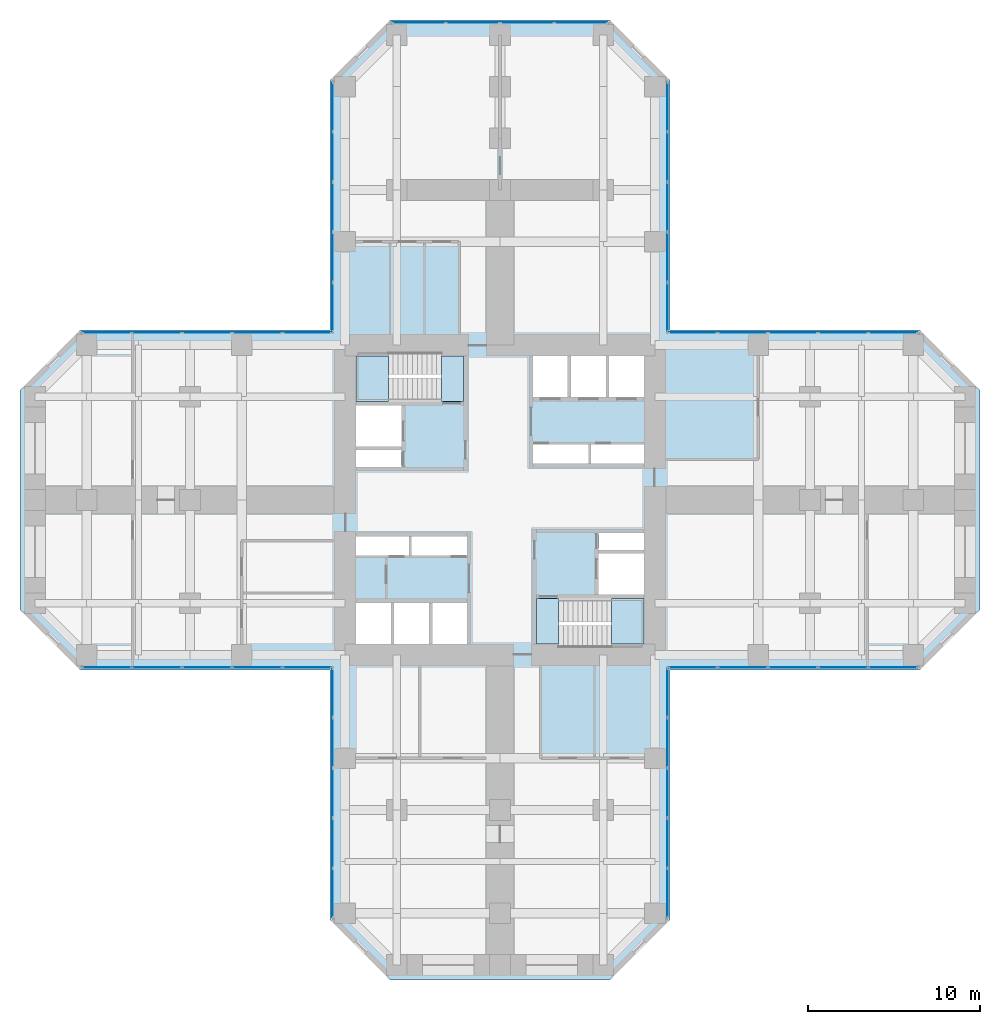
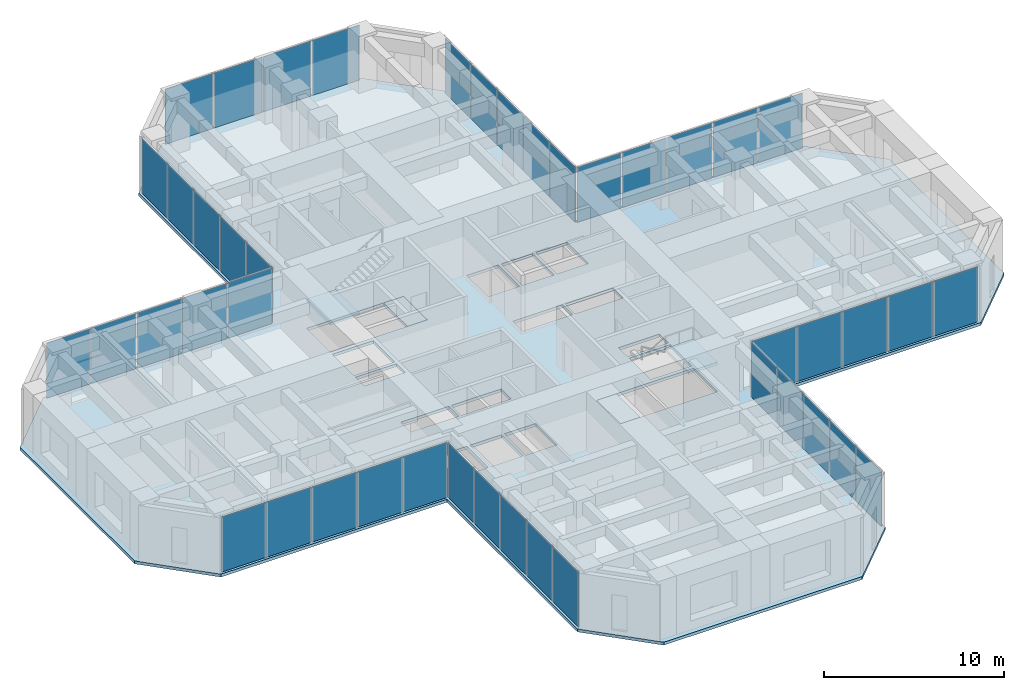
# One storey, part 7 of 12: 44 plates, 5 slabs, 11 elements without a shape of their own.
"""IFC4 building model written with IfcOpenShell, lengths in metres."""

from ifc_helpers import new_model, si_unit, direction, frame, origin, origin_2d, place, context, subcontext, project, spatial, polyline, rectangle, outline, extrude, material, layer, layer_set, type_object, element, aggregate, save


model = new_model("IFC4")

# Units and contexts
model_context = context("Model", 3, precision=1e-05, world=origin(), true_north=direction((0.0, 1.0)))
body_context = subcontext(model_context, "Body", "Model", "MODEL_VIEW")
ifc_project = project(units=[si_unit("LENGTHUNIT", "METRE"), si_unit("AREAUNIT", "SQUARE_METRE"), si_unit("VOLUMEUNIT", "CUBIC_METRE"), si_unit("PLANEANGLEUNIT", "RADIAN"), si_unit("MASSUNIT", "GRAM", prefix="KILO")], contexts=[model_context])

# Site, building, storey
site_placement = place(None, origin())
site = spatial("IfcSite", under=ifc_project, at=site_placement, CompositionType="ELEMENT")
building_placement = place(site_placement, origin())
building = spatial("IfcBuilding", under=site, at=building_placement, Name="Torre Cruceta", CompositionType="ELEMENT")
storey_placement = place(building_placement, frame((0.0, 0.0, 39.5)))
storey = spatial("IfcBuildingStorey", under=building, at=storey_placement, Name="L09", CompositionType="ELEMENT", Elevation=39.5)

# Curtain wall, plate
ifc_material_1 = material(Name="Aluminium unitised curtain wall", Category="aluminium")
curtain_wall_type = type_object("IfcCurtainWallType", Name="CURTAIN WALL CW-A OFFICE LOW RISE", PredefinedType="USERDEFINED", material=ifc_material_1)
curtain_wall_1_placement = place(storey_placement, origin())
curtain_wall_1 = element("IfcCurtainWall", 1, at=curtain_wall_1_placement, inside=storey, type_object=curtain_wall_type, Name="CW-A L09 E side 00", ObjectType="UNITISED", PredefinedType="USERDEFINED")
ifc_material_2 = material(Name="Laminated insulating glass unit, diagonal frit 50 %", Category="glass")
ifc_material_3 = material(Name="Laminated insulating glass unit, diagonal frit 50 %", Category="glass")
ifc_layer_1 = layer(ifc_material_3, 0.033935546875)
ifc_layer_set_1 = layer_set([ifc_layer_1], Name="Laminated insulating glass unit, diagonal frit 50 %")
plate_type_1 = type_object("IfcPlateType", Name="CW-A OPERABLE VENT PANEL 34", PredefinedType="CURTAIN_PANEL", material=ifc_layer_set_1)
plate_1_placement = place(storey_placement, frame((17.009033203125, -9.719970703125, 0.010009765625), z_axis=(0.0, 0.0, 1.0), x_axis=(1.0, 0.0, 0.0)))
plate_1 = element("IfcPlate", 2, at=plate_1_placement, type_object=plate_type_1, material=ifc_material_2, Name="CW-A vent 3", PredefinedType="CURTAIN_PANEL", context=body_context, shape_type="SweptSolid", body=[
    extrude(rectangle(XDim=2.8505859375, YDim=0.033935546875, at=origin_2d()), origin(), (0.0, 0.0, 1.0), 3.72509765625),
])

curtain_wall_2_placement = place(storey_placement, origin())
curtain_wall_2 = element("IfcCurtainWall", 3, at=curtain_wall_2_placement, inside=storey, type_object=curtain_wall_type, Name="CW-A L09 E side 04", ObjectType="UNITISED", PredefinedType="USERDEFINED")
plate_2_placement = place(storey_placement, frame((17.009033203125, 9.719970703125, 0.010009765625), z_axis=(0.0, 0.0, 1.0), x_axis=(-1.0, 0.0, 0.0)))
plate_2 = element("IfcPlate", 4, at=plate_2_placement, type_object=plate_type_1, material=ifc_material_2, Name="CW-A vent 3", PredefinedType="CURTAIN_PANEL", context=body_context, shape_type="SweptSolid", body=[
    extrude(rectangle(XDim=2.8505859375, YDim=0.033935546875, at=origin_2d()), origin(), (0.0, 0.0, 1.0), 3.72509765625),
])

curtain_wall_3_placement = place(storey_placement, origin())
curtain_wall_3 = element("IfcCurtainWall", 5, at=curtain_wall_3_placement, inside=storey, type_object=curtain_wall_type, Name="CW-A L09 N side 05", ObjectType="UNITISED", PredefinedType="USERDEFINED")
plate_3_placement = place(storey_placement, frame((9.719970703125, 17.009033203125, 0.010009765625), z_axis=(0.0, 0.0, 1.0), x_axis=(0.0, 1.0, 0.0)))
plate_3 = element("IfcPlate", 6, at=plate_3_placement, type_object=plate_type_1, material=ifc_material_2, Name="CW-A vent 3", PredefinedType="CURTAIN_PANEL", context=body_context, shape_type="SweptSolid", body=[
    extrude(rectangle(XDim=2.8505859375, YDim=0.033935546875, at=origin_2d()), origin(), (0.0, 0.0, 1.0), 3.72509765625),
])

curtain_wall_4_placement = place(storey_placement, origin())
curtain_wall_4 = element("IfcCurtainWall", 7, at=curtain_wall_4_placement, inside=storey, type_object=curtain_wall_type, Name="CW-A L09 N tip 07", ObjectType="UNITISED", PredefinedType="USERDEFINED")
plate_4_placement = place(storey_placement, frame((-1.574462890625, 27.719970703125, 0.010009765625), z_axis=(0.0, 0.0, 1.0), x_axis=(-1.0, 0.0, 0.0)))
plate_4 = element("IfcPlate", 8, at=plate_4_placement, type_object=plate_type_1, material=ifc_material_2, Name="CW-A vent 3", PredefinedType="CURTAIN_PANEL", context=body_context, shape_type="SweptSolid", body=[
    extrude(rectangle(XDim=3.084228515625, YDim=0.033935546875, at=origin_2d()), origin(), (0.0, 0.0, 1.0), 3.72509765625),
])

curtain_wall_5_placement = place(storey_placement, origin())
curtain_wall_5 = element("IfcCurtainWall", 9, at=curtain_wall_5_placement, inside=storey, type_object=curtain_wall_type, Name="CW-A L09 N side 09", ObjectType="UNITISED", PredefinedType="USERDEFINED")
plate_5_placement = place(storey_placement, frame((-9.719970703125, 17.009033203125, 0.010009765625), z_axis=(0.0, 0.0, 1.0), x_axis=(0.0, -1.0, 0.0)))
plate_5 = element("IfcPlate", 10, at=plate_5_placement, type_object=plate_type_1, material=ifc_material_2, Name="CW-A vent 3", PredefinedType="CURTAIN_PANEL", context=body_context, shape_type="SweptSolid", body=[
    extrude(rectangle(XDim=2.8505859375, YDim=0.033935546875, at=origin_2d()), origin(), (0.0, 0.0, 1.0), 3.72509765625),
])

curtain_wall_6_placement = place(storey_placement, origin())
curtain_wall_6 = element("IfcCurtainWall", 11, at=curtain_wall_6_placement, inside=storey, type_object=curtain_wall_type, Name="CW-A L09 W side 10", ObjectType="UNITISED", PredefinedType="USERDEFINED")
plate_6_placement = place(storey_placement, frame((-17.009033203125, 9.719970703125, 0.010009765625), z_axis=(0.0, 0.0, 1.0), x_axis=(-1.0, 0.0, 0.0)))
plate_6 = element("IfcPlate", 12, at=plate_6_placement, type_object=plate_type_1, material=ifc_material_2, Name="CW-A vent 3", PredefinedType="CURTAIN_PANEL", context=body_context, shape_type="SweptSolid", body=[
    extrude(rectangle(XDim=2.8505859375, YDim=0.033935546875, at=origin_2d()), origin(), (0.0, 0.0, 1.0), 3.72509765625),
])

curtain_wall_7_placement = place(storey_placement, origin())
curtain_wall_7 = element("IfcCurtainWall", 13, at=curtain_wall_7_placement, inside=storey, type_object=curtain_wall_type, Name="CW-A L09 W side 14", ObjectType="UNITISED", PredefinedType="USERDEFINED")
plate_7_placement = place(storey_placement, frame((-17.009033203125, -9.719970703125, 0.010009765625), z_axis=(0.0, 0.0, 1.0), x_axis=(1.0, 0.0, 0.0)))
plate_7 = element("IfcPlate", 14, at=plate_7_placement, type_object=plate_type_1, material=ifc_material_2, Name="CW-A vent 3", PredefinedType="CURTAIN_PANEL", context=body_context, shape_type="SweptSolid", body=[
    extrude(rectangle(XDim=2.8505859375, YDim=0.033935546875, at=origin_2d()), origin(), (0.0, 0.0, 1.0), 3.72509765625),
])

curtain_wall_8_placement = place(storey_placement, origin())
curtain_wall_8 = element("IfcCurtainWall", 15, at=curtain_wall_8_placement, inside=storey, type_object=curtain_wall_type, Name="CW-A L09 S side 15", ObjectType="UNITISED", PredefinedType="USERDEFINED")
plate_8_placement = place(storey_placement, frame((-9.719970703125, -17.009033203125, 0.010009765625), z_axis=(0.0, 0.0, 1.0), x_axis=(0.0, -1.0, 0.0)))
plate_8 = element("IfcPlate", 16, at=plate_8_placement, type_object=plate_type_1, material=ifc_material_2, Name="CW-A vent 3", PredefinedType="CURTAIN_PANEL", context=body_context, shape_type="SweptSolid", body=[
    extrude(rectangle(XDim=2.8505859375, YDim=0.033935546875, at=origin_2d()), origin(), (0.0, 0.0, 1.0), 3.72509765625),
])

curtain_wall_9_placement = place(storey_placement, origin())
curtain_wall_9 = element("IfcCurtainWall", 17, at=curtain_wall_9_placement, inside=storey, type_object=curtain_wall_type, Name="CW-A L09 S side 19", ObjectType="UNITISED", PredefinedType="USERDEFINED")
plate_9_placement = place(storey_placement, frame((9.719970703125, -17.009033203125, 0.010009765625), z_axis=(0.0, 0.0, 1.0), x_axis=(0.0, 1.0, 0.0)))
plate_9 = element("IfcPlate", 18, at=plate_9_placement, type_object=plate_type_1, material=ifc_material_2, Name="CW-A vent 3", PredefinedType="CURTAIN_PANEL", context=body_context, shape_type="SweptSolid", body=[
    extrude(rectangle(XDim=2.8505859375, YDim=0.033935546875, at=origin_2d()), origin(), (0.0, 0.0, 1.0), 3.72509765625),
])

# Plate
ifc_material_4 = material(Name="Laminated insulating glass unit, diagonal frit 50 %", Category="glass")
ifc_layer_2 = layer(ifc_material_4, 0.033935546875)
ifc_layer_set_2 = layer_set([ifc_layer_2], Name="Laminated insulating glass unit, diagonal frit 50 %")
plate_type_2 = type_object("IfcPlateType", Name="CW-A PANEL 34", PredefinedType="CURTAIN_PANEL", material=ifc_layer_set_2)
plate_10_placement = place(storey_placement, frame((11.194091796875, -9.719970703125, 0.010009765625), z_axis=(0.0, 0.0, 1.0), x_axis=(1.0, 0.0, 0.0)))
plate_10 = element("IfcPlate", 19, at=plate_10_placement, type_object=plate_type_2, material=ifc_material_2, Name="CW-A panel 1", PredefinedType="CURTAIN_PANEL", context=body_context, shape_type="SweptSolid", body=[
    extrude(rectangle(XDim=2.818115234375, YDim=0.033935546875, at=origin_2d()), origin(), (0.0, 0.0, 1.0), 3.72509765625),
])

plate_11_placement = place(storey_placement, frame((14.093505859375, -9.719970703125, 0.010009765625), z_axis=(0.0, 0.0, 1.0), x_axis=(1.0, 0.0, 0.0)))
plate_11 = element("IfcPlate", 20, at=plate_11_placement, type_object=plate_type_2, material=ifc_material_2, Name="CW-A panel 2", PredefinedType="CURTAIN_PANEL", context=body_context, shape_type="SweptSolid", body=[
    extrude(rectangle(XDim=2.8505859375, YDim=0.033935546875, at=origin_2d()), origin(), (0.0, 0.0, 1.0), 3.72509765625),
])

ifc_material_5 = material(Name="Laminated insulating glass unit, low-iron clear", Category="glass")
plate_12_placement = place(storey_placement, frame((19.9248046875, -9.719970703125, 0.010009765625), z_axis=(0.0, 0.0, 1.0), x_axis=(1.0, 0.0, 0.0)))
plate_12 = element("IfcPlate", 21, at=plate_12_placement, type_object=plate_type_2, material=ifc_material_5, Name="CW-A panel 4", PredefinedType="CURTAIN_PANEL", context=body_context, shape_type="SweptSolid", body=[
    extrude(rectangle(XDim=2.8505859375, YDim=0.033935546875, at=origin_2d()), origin(), (0.0, 0.0, 1.0), 3.72509765625),
])

plate_13_placement = place(storey_placement, frame((22.82421875, -9.719970703125, 0.010009765625), z_axis=(0.0, 0.0, 1.0), x_axis=(1.0, 0.0, 0.0)))
plate_13 = element("IfcPlate", 22, at=plate_13_placement, type_object=plate_type_2, material=ifc_material_5, Name="CW-A panel 5", PredefinedType="CURTAIN_PANEL", context=body_context, shape_type="SweptSolid", body=[
    extrude(rectangle(XDim=2.818115234375, YDim=0.033935546875, at=origin_2d()), origin(), (0.0, 0.0, 1.0), 3.72509765625),
])

aggregate(curtain_wall_1, [plate_10, plate_11, plate_1, plate_12, plate_13])

plate_14_placement = place(storey_placement, frame((22.82421875, 9.719970703125, 0.010009765625), z_axis=(0.0, 0.0, 1.0), x_axis=(-1.0, 0.0, 0.0)))
plate_14 = element("IfcPlate", 23, at=plate_14_placement, type_object=plate_type_2, material=ifc_material_2, Name="CW-A panel 1", PredefinedType="CURTAIN_PANEL", context=body_context, shape_type="SweptSolid", body=[
    extrude(rectangle(XDim=2.818115234375, YDim=0.033935546875, at=origin_2d()), origin(), (0.0, 0.0, 1.0), 3.72509765625),
])

plate_15_placement = place(storey_placement, frame((19.9248046875, 9.719970703125, 0.010009765625), z_axis=(0.0, 0.0, 1.0), x_axis=(-1.0, 0.0, 0.0)))
plate_15 = element("IfcPlate", 24, at=plate_15_placement, type_object=plate_type_2, material=ifc_material_2, Name="CW-A panel 2", PredefinedType="CURTAIN_PANEL", context=body_context, shape_type="SweptSolid", body=[
    extrude(rectangle(XDim=2.8505859375, YDim=0.033935546875, at=origin_2d()), origin(), (0.0, 0.0, 1.0), 3.72509765625),
])

plate_16_placement = place(storey_placement, frame((14.093505859375, 9.719970703125, 0.010009765625), z_axis=(0.0, 0.0, 1.0), x_axis=(-1.0, 0.0, 0.0)))
plate_16 = element("IfcPlate", 25, at=plate_16_placement, type_object=plate_type_2, material=ifc_material_5, Name="CW-A panel 4", PredefinedType="CURTAIN_PANEL", context=body_context, shape_type="SweptSolid", body=[
    extrude(rectangle(XDim=2.8505859375, YDim=0.033935546875, at=origin_2d()), origin(), (0.0, 0.0, 1.0), 3.72509765625),
])

plate_17_placement = place(storey_placement, frame((11.194091796875, 9.719970703125, 0.010009765625), z_axis=(0.0, 0.0, 1.0), x_axis=(-1.0, 0.0, 0.0)))
plate_17 = element("IfcPlate", 26, at=plate_17_placement, type_object=plate_type_2, material=ifc_material_5, Name="CW-A panel 5", PredefinedType="CURTAIN_PANEL", context=body_context, shape_type="SweptSolid", body=[
    extrude(rectangle(XDim=2.818115234375, YDim=0.033935546875, at=origin_2d()), origin(), (0.0, 0.0, 1.0), 3.72509765625),
])

aggregate(curtain_wall_2, [plate_14, plate_15, plate_2, plate_16, plate_17])

plate_18_placement = place(storey_placement, frame((9.719970703125, 11.194091796875, 0.010009765625), z_axis=(0.0, 0.0, 1.0), x_axis=(0.0, 1.0, 0.0)))
plate_18 = element("IfcPlate", 27, at=plate_18_placement, type_object=plate_type_2, material=ifc_material_2, Name="CW-A panel 1", PredefinedType="CURTAIN_PANEL", context=body_context, shape_type="SweptSolid", body=[
    extrude(rectangle(XDim=2.818115234375, YDim=0.033935546875, at=origin_2d()), origin(), (0.0, 0.0, 1.0), 3.72509765625),
])

plate_19_placement = place(storey_placement, frame((9.719970703125, 14.093505859375, 0.010009765625), z_axis=(0.0, 0.0, 1.0), x_axis=(0.0, 1.0, 0.0)))
plate_19 = element("IfcPlate", 28, at=plate_19_placement, type_object=plate_type_2, material=ifc_material_2, Name="CW-A panel 2", PredefinedType="CURTAIN_PANEL", context=body_context, shape_type="SweptSolid", body=[
    extrude(rectangle(XDim=2.8505859375, YDim=0.033935546875, at=origin_2d()), origin(), (0.0, 0.0, 1.0), 3.72509765625),
])

plate_20_placement = place(storey_placement, frame((9.719970703125, 19.9248046875, 0.010009765625), z_axis=(0.0, 0.0, 1.0), x_axis=(0.0, 1.0, 0.0)))
plate_20 = element("IfcPlate", 29, at=plate_20_placement, type_object=plate_type_2, material=ifc_material_5, Name="CW-A panel 4", PredefinedType="CURTAIN_PANEL", context=body_context, shape_type="SweptSolid", body=[
    extrude(rectangle(XDim=2.8505859375, YDim=0.033935546875, at=origin_2d()), origin(), (0.0, 0.0, 1.0), 3.72509765625),
])

plate_21_placement = place(storey_placement, frame((9.719970703125, 22.82421875, 0.010009765625), z_axis=(0.0, 0.0, 1.0), x_axis=(0.0, 1.0, 0.0)))
plate_21 = element("IfcPlate", 30, at=plate_21_placement, type_object=plate_type_2, material=ifc_material_5, Name="CW-A panel 5", PredefinedType="CURTAIN_PANEL", context=body_context, shape_type="SweptSolid", body=[
    extrude(rectangle(XDim=2.818115234375, YDim=0.033935546875, at=origin_2d()), origin(), (0.0, 0.0, 1.0), 3.72509765625),
])

aggregate(curtain_wall_3, [plate_18, plate_19, plate_3, plate_20, plate_21])

plate_22_placement = place(storey_placement, frame((4.70751953125, 27.719970703125, 0.010009765625), z_axis=(0.0, 0.0, 1.0), x_axis=(-1.0, 0.0, 0.0)))
plate_22 = element("IfcPlate", 31, at=plate_22_placement, type_object=plate_type_2, material=ifc_material_2, Name="CW-A panel 1", PredefinedType="CURTAIN_PANEL", context=body_context, shape_type="SweptSolid", body=[
    extrude(rectangle(XDim=3.051513671875, YDim=0.033935546875, at=origin_2d()), origin(), (0.0, 0.0, 1.0), 3.72509765625),
])

plate_23_placement = place(storey_placement, frame((1.574462890625, 27.719970703125, 0.010009765625), z_axis=(0.0, 0.0, 1.0), x_axis=(-1.0, 0.0, 0.0)))
plate_23 = element("IfcPlate", 32, at=plate_23_placement, type_object=plate_type_2, material=ifc_material_2, Name="CW-A panel 2", PredefinedType="CURTAIN_PANEL", context=body_context, shape_type="SweptSolid", body=[
    extrude(rectangle(XDim=3.084228515625, YDim=0.033935546875, at=origin_2d()), origin(), (0.0, 0.0, 1.0), 3.72509765625),
])

plate_24_placement = place(storey_placement, frame((-4.70751953125, 27.719970703125, 0.010009765625), z_axis=(0.0, 0.0, 1.0), x_axis=(-1.0, 0.0, 0.0)))
plate_24 = element("IfcPlate", 33, at=plate_24_placement, type_object=plate_type_2, material=ifc_material_5, Name="CW-A panel 4", PredefinedType="CURTAIN_PANEL", context=body_context, shape_type="SweptSolid", body=[
    extrude(rectangle(XDim=3.051513671875, YDim=0.033935546875, at=origin_2d()), origin(), (0.0, 0.0, 1.0), 3.72509765625),
])

aggregate(curtain_wall_4, [plate_22, plate_23, plate_4, plate_24])

plate_25_placement = place(storey_placement, frame((-9.719970703125, 22.82421875, 0.010009765625), z_axis=(0.0, 0.0, 1.0), x_axis=(0.0, -1.0, 0.0)))
plate_25 = element("IfcPlate", 34, at=plate_25_placement, type_object=plate_type_2, material=ifc_material_2, Name="CW-A panel 1", PredefinedType="CURTAIN_PANEL", context=body_context, shape_type="SweptSolid", body=[
    extrude(rectangle(XDim=2.818115234375, YDim=0.033935546875, at=origin_2d()), origin(), (0.0, 0.0, 1.0), 3.72509765625),
])

plate_26_placement = place(storey_placement, frame((-9.719970703125, 19.9248046875, 0.010009765625), z_axis=(0.0, 0.0, 1.0), x_axis=(0.0, -1.0, 0.0)))
plate_26 = element("IfcPlate", 35, at=plate_26_placement, type_object=plate_type_2, material=ifc_material_2, Name="CW-A panel 2", PredefinedType="CURTAIN_PANEL", context=body_context, shape_type="SweptSolid", body=[
    extrude(rectangle(XDim=2.8505859375, YDim=0.033935546875, at=origin_2d()), origin(), (0.0, 0.0, 1.0), 3.72509765625),
])

plate_27_placement = place(storey_placement, frame((-9.719970703125, 14.093505859375, 0.010009765625), z_axis=(0.0, 0.0, 1.0), x_axis=(0.0, -1.0, 0.0)))
plate_27 = element("IfcPlate", 36, at=plate_27_placement, type_object=plate_type_2, material=ifc_material_5, Name="CW-A panel 4", PredefinedType="CURTAIN_PANEL", context=body_context, shape_type="SweptSolid", body=[
    extrude(rectangle(XDim=2.8505859375, YDim=0.033935546875, at=origin_2d()), origin(), (0.0, 0.0, 1.0), 3.72509765625),
])

plate_28_placement = place(storey_placement, frame((-9.719970703125, 11.194091796875, 0.010009765625), z_axis=(0.0, 0.0, 1.0), x_axis=(0.0, -1.0, 0.0)))
plate_28 = element("IfcPlate", 37, at=plate_28_placement, type_object=plate_type_2, material=ifc_material_5, Name="CW-A panel 5", PredefinedType="CURTAIN_PANEL", context=body_context, shape_type="SweptSolid", body=[
    extrude(rectangle(XDim=2.818115234375, YDim=0.033935546875, at=origin_2d()), origin(), (0.0, 0.0, 1.0), 3.72509765625),
])

aggregate(curtain_wall_5, [plate_25, plate_26, plate_5, plate_27, plate_28])

plate_29_placement = place(storey_placement, frame((-11.194091796875, 9.719970703125, 0.010009765625), z_axis=(0.0, 0.0, 1.0), x_axis=(-1.0, 0.0, 0.0)))
plate_29 = element("IfcPlate", 38, at=plate_29_placement, type_object=plate_type_2, material=ifc_material_2, Name="CW-A panel 1", PredefinedType="CURTAIN_PANEL", context=body_context, shape_type="SweptSolid", body=[
    extrude(rectangle(XDim=2.818115234375, YDim=0.033935546875, at=origin_2d()), origin(), (0.0, 0.0, 1.0), 3.72509765625),
])

plate_30_placement = place(storey_placement, frame((-14.093505859375, 9.719970703125, 0.010009765625), z_axis=(0.0, 0.0, 1.0), x_axis=(-1.0, 0.0, 0.0)))
plate_30 = element("IfcPlate", 39, at=plate_30_placement, type_object=plate_type_2, material=ifc_material_2, Name="CW-A panel 2", PredefinedType="CURTAIN_PANEL", context=body_context, shape_type="SweptSolid", body=[
    extrude(rectangle(XDim=2.8505859375, YDim=0.033935546875, at=origin_2d()), origin(), (0.0, 0.0, 1.0), 3.72509765625),
])

plate_31_placement = place(storey_placement, frame((-19.9248046875, 9.719970703125, 0.010009765625), z_axis=(0.0, 0.0, 1.0), x_axis=(-1.0, 0.0, 0.0)))
plate_31 = element("IfcPlate", 40, at=plate_31_placement, type_object=plate_type_2, material=ifc_material_5, Name="CW-A panel 4", PredefinedType="CURTAIN_PANEL", context=body_context, shape_type="SweptSolid", body=[
    extrude(rectangle(XDim=2.8505859375, YDim=0.033935546875, at=origin_2d()), origin(), (0.0, 0.0, 1.0), 3.72509765625),
])

plate_32_placement = place(storey_placement, frame((-22.82421875, 9.719970703125, 0.010009765625), z_axis=(0.0, 0.0, 1.0), x_axis=(-1.0, 0.0, 0.0)))
plate_32 = element("IfcPlate", 41, at=plate_32_placement, type_object=plate_type_2, material=ifc_material_5, Name="CW-A panel 5", PredefinedType="CURTAIN_PANEL", context=body_context, shape_type="SweptSolid", body=[
    extrude(rectangle(XDim=2.818115234375, YDim=0.033935546875, at=origin_2d()), origin(), (0.0, 0.0, 1.0), 3.72509765625),
])

aggregate(curtain_wall_6, [plate_29, plate_30, plate_6, plate_31, plate_32])

plate_33_placement = place(storey_placement, frame((-22.82421875, -9.719970703125, 0.010009765625), z_axis=(0.0, 0.0, 1.0), x_axis=(1.0, 0.0, 0.0)))
plate_33 = element("IfcPlate", 42, at=plate_33_placement, type_object=plate_type_2, material=ifc_material_2, Name="CW-A panel 1", PredefinedType="CURTAIN_PANEL", context=body_context, shape_type="SweptSolid", body=[
    extrude(rectangle(XDim=2.818115234375, YDim=0.033935546875, at=origin_2d()), origin(), (0.0, 0.0, 1.0), 3.72509765625),
])

plate_34_placement = place(storey_placement, frame((-19.9248046875, -9.719970703125, 0.010009765625), z_axis=(0.0, 0.0, 1.0), x_axis=(1.0, 0.0, 0.0)))
plate_34 = element("IfcPlate", 43, at=plate_34_placement, type_object=plate_type_2, material=ifc_material_2, Name="CW-A panel 2", PredefinedType="CURTAIN_PANEL", context=body_context, shape_type="SweptSolid", body=[
    extrude(rectangle(XDim=2.8505859375, YDim=0.033935546875, at=origin_2d()), origin(), (0.0, 0.0, 1.0), 3.72509765625),
])

plate_35_placement = place(storey_placement, frame((-14.093505859375, -9.719970703125, 0.010009765625), z_axis=(0.0, 0.0, 1.0), x_axis=(1.0, 0.0, 0.0)))
plate_35 = element("IfcPlate", 44, at=plate_35_placement, type_object=plate_type_2, material=ifc_material_5, Name="CW-A panel 4", PredefinedType="CURTAIN_PANEL", context=body_context, shape_type="SweptSolid", body=[
    extrude(rectangle(XDim=2.8505859375, YDim=0.033935546875, at=origin_2d()), origin(), (0.0, 0.0, 1.0), 3.72509765625),
])

plate_36_placement = place(storey_placement, frame((-11.194091796875, -9.719970703125, 0.010009765625), z_axis=(0.0, 0.0, 1.0), x_axis=(1.0, 0.0, 0.0)))
plate_36 = element("IfcPlate", 45, at=plate_36_placement, type_object=plate_type_2, material=ifc_material_5, Name="CW-A panel 5", PredefinedType="CURTAIN_PANEL", context=body_context, shape_type="SweptSolid", body=[
    extrude(rectangle(XDim=2.818115234375, YDim=0.033935546875, at=origin_2d()), origin(), (0.0, 0.0, 1.0), 3.72509765625),
])

aggregate(curtain_wall_7, [plate_33, plate_34, plate_7, plate_35, plate_36])

plate_37_placement = place(storey_placement, frame((-9.719970703125, -11.194091796875, 0.010009765625), z_axis=(0.0, 0.0, 1.0), x_axis=(0.0, -1.0, 0.0)))
plate_37 = element("IfcPlate", 46, at=plate_37_placement, type_object=plate_type_2, material=ifc_material_2, Name="CW-A panel 1", PredefinedType="CURTAIN_PANEL", context=body_context, shape_type="SweptSolid", body=[
    extrude(rectangle(XDim=2.818115234375, YDim=0.033935546875, at=origin_2d()), origin(), (0.0, 0.0, 1.0), 3.72509765625),
])

plate_38_placement = place(storey_placement, frame((-9.719970703125, -14.093505859375, 0.010009765625), z_axis=(0.0, 0.0, 1.0), x_axis=(0.0, -1.0, 0.0)))
plate_38 = element("IfcPlate", 47, at=plate_38_placement, type_object=plate_type_2, material=ifc_material_2, Name="CW-A panel 2", PredefinedType="CURTAIN_PANEL", context=body_context, shape_type="SweptSolid", body=[
    extrude(rectangle(XDim=2.8505859375, YDim=0.033935546875, at=origin_2d()), origin(), (0.0, 0.0, 1.0), 3.72509765625),
])

plate_39_placement = place(storey_placement, frame((-9.719970703125, -19.9248046875, 0.010009765625), z_axis=(0.0, 0.0, 1.0), x_axis=(0.0, -1.0, 0.0)))
plate_39 = element("IfcPlate", 48, at=plate_39_placement, type_object=plate_type_2, material=ifc_material_5, Name="CW-A panel 4", PredefinedType="CURTAIN_PANEL", context=body_context, shape_type="SweptSolid", body=[
    extrude(rectangle(XDim=2.8505859375, YDim=0.033935546875, at=origin_2d()), origin(), (0.0, 0.0, 1.0), 3.72509765625),
])

plate_40_placement = place(storey_placement, frame((-9.719970703125, -22.82421875, 0.010009765625), z_axis=(0.0, 0.0, 1.0), x_axis=(0.0, -1.0, 0.0)))
plate_40 = element("IfcPlate", 49, at=plate_40_placement, type_object=plate_type_2, material=ifc_material_5, Name="CW-A panel 5", PredefinedType="CURTAIN_PANEL", context=body_context, shape_type="SweptSolid", body=[
    extrude(rectangle(XDim=2.818115234375, YDim=0.033935546875, at=origin_2d()), origin(), (0.0, 0.0, 1.0), 3.72509765625),
])

aggregate(curtain_wall_8, [plate_37, plate_38, plate_8, plate_39, plate_40])

plate_41_placement = place(storey_placement, frame((9.719970703125, -22.82421875, 0.010009765625), z_axis=(0.0, 0.0, 1.0), x_axis=(0.0, 1.0, 0.0)))
plate_41 = element("IfcPlate", 50, at=plate_41_placement, type_object=plate_type_2, material=ifc_material_2, Name="CW-A panel 1", PredefinedType="CURTAIN_PANEL", context=body_context, shape_type="SweptSolid", body=[
    extrude(rectangle(XDim=2.818115234375, YDim=0.033935546875, at=origin_2d()), origin(), (0.0, 0.0, 1.0), 3.72509765625),
])

plate_42_placement = place(storey_placement, frame((9.719970703125, -19.9248046875, 0.010009765625), z_axis=(0.0, 0.0, 1.0), x_axis=(0.0, 1.0, 0.0)))
plate_42 = element("IfcPlate", 51, at=plate_42_placement, type_object=plate_type_2, material=ifc_material_2, Name="CW-A panel 2", PredefinedType="CURTAIN_PANEL", context=body_context, shape_type="SweptSolid", body=[
    extrude(rectangle(XDim=2.8505859375, YDim=0.033935546875, at=origin_2d()), origin(), (0.0, 0.0, 1.0), 3.72509765625),
])

plate_43_placement = place(storey_placement, frame((9.719970703125, -14.093505859375, 0.010009765625), z_axis=(0.0, 0.0, 1.0), x_axis=(0.0, 1.0, 0.0)))
plate_43 = element("IfcPlate", 52, at=plate_43_placement, type_object=plate_type_2, material=ifc_material_5, Name="CW-A panel 4", PredefinedType="CURTAIN_PANEL", context=body_context, shape_type="SweptSolid", body=[
    extrude(rectangle(XDim=2.8505859375, YDim=0.033935546875, at=origin_2d()), origin(), (0.0, 0.0, 1.0), 3.72509765625),
])

plate_44_placement = place(storey_placement, frame((9.719970703125, -11.194091796875, 0.010009765625), z_axis=(0.0, 0.0, 1.0), x_axis=(0.0, 1.0, 0.0)))
plate_44 = element("IfcPlate", 53, at=plate_44_placement, type_object=plate_type_2, material=ifc_material_5, Name="CW-A panel 5", PredefinedType="CURTAIN_PANEL", context=body_context, shape_type="SweptSolid", body=[
    extrude(rectangle(XDim=2.818115234375, YDim=0.033935546875, at=origin_2d()), origin(), (0.0, 0.0, 1.0), 3.72509765625),
])

aggregate(curtain_wall_9, [plate_41, plate_42, plate_9, plate_43, plate_44])

# Slab
ifc_material_6 = material(Name="Concrete G35 (fck 35 MPa)", Category="concrete")
ifc_layer_3 = layer(ifc_material_6, 0.199951171875)
ifc_layer_set_3 = layer_set([ifc_layer_3], Name="Concrete G35 (fck 35 MPa)")
slab_type_1 = type_object("IfcSlabType", Name="FLOOR SLAB 200", PredefinedType="FLOOR", material=ifc_layer_set_3)
slab_1_placement = place(storey_placement, frame((0.0, 0.0, -0.199951171875)))
element("IfcSlab", 54, at=slab_1_placement, inside=storey, type_object=slab_type_1, Name="Floor Slab L09", PredefinedType="FLOOR", context=body_context, shape_type="SweptSolid", body=[
    extrude(outline(polyline([(9.8701171875, -9.8701171875), (9.8701171875, -24.3603515625), (6.3603515625, -27.8701171875), (-6.3603515625, -27.8701171875), (-9.8701171875, -24.3603515625), (-9.8701171875, -9.8701171875), (-24.3603515625, -9.8701171875), (-27.8701171875, -6.3603515625), (-27.8701171875, 6.3603515625), (-24.3603515625, 9.8701171875), (-9.8701171875, 9.8701171875), (-9.8701171875, 24.3603515625), (-6.3603515625, 27.8701171875), (6.3603515625, 27.8701171875), (9.8701171875, 24.3603515625), (9.8701171875, 9.8701171875), (24.3603515625, 9.8701171875), (27.8701171875, 6.3603515625), (27.8701171875, -6.3603515625), (24.3603515625, -9.8701171875), (9.8701171875, -9.8701171875)]), holes=[polyline([(1.925048828125, 5.97509765625), (3.933349609375, 5.97509765625), (3.933349609375, 8.35009765625), (1.925048828125, 8.35009765625), (1.925048828125, 5.97509765625)]), polyline([(4.13330078125, 5.97509765625), (6.1416015625, 5.97509765625), (6.1416015625, 8.35009765625), (4.13330078125, 8.35009765625), (4.13330078125, 5.97509765625)]), polyline([(6.341552734375, 5.97509765625), (8.35009765625, 5.97509765625), (8.35009765625, 8.35009765625), (6.341552734375, 8.35009765625), (6.341552734375, 5.97509765625)]), polyline([(1.925048828125, 2.125), (5.125, 2.125), (5.125, 3.22509765625), (1.925048828125, 3.22509765625), (1.925048828125, 2.125)]), polyline([(5.27490234375, 2.125), (8.35009765625, 2.125), (8.35009765625, 3.22509765625), (5.27490234375, 3.22509765625), (5.27490234375, 2.125)]), polyline([(-8.35009765625, 3.10009765625), (-5.72509765625, 3.10009765625), (-5.72509765625, 5.47509765625), (-8.35009765625, 5.47509765625), (-8.35009765625, 3.10009765625)]), polyline([(-8.35009765625, 1.925048828125), (-5.72509765625, 1.925048828125), (-5.72509765625, 2.89990234375), (-8.35009765625, 2.89990234375), (-8.35009765625, 1.925048828125)]), polyline([(-3.933349609375, -8.35009765625), (-1.925048828125, -8.35009765625), (-1.925048828125, -5.97509765625), (-3.933349609375, -5.97509765625), (-3.933349609375, -8.35009765625)]), polyline([(-6.1416015625, -8.35009765625), (-4.13330078125, -8.35009765625), (-4.13330078125, -5.97509765625), (-6.1416015625, -5.97509765625), (-6.1416015625, -8.35009765625)]), polyline([(-8.35009765625, -8.35009765625), (-6.341552734375, -8.35009765625), (-6.341552734375, -5.97509765625), (-8.35009765625, -5.97509765625), (-8.35009765625, -8.35009765625)]), polyline([(-5.125, -3.22509765625), (-1.925048828125, -3.22509765625), (-1.925048828125, -2.125), (-5.125, -2.125), (-5.125, -3.22509765625)]), polyline([(-8.35009765625, -3.22509765625), (-5.27490234375, -3.22509765625), (-5.27490234375, -2.125), (-8.35009765625, -2.125), (-8.35009765625, -3.22509765625)]), polyline([(5.72509765625, -5.47509765625), (8.35009765625, -5.47509765625), (8.35009765625, -3.10009765625), (5.72509765625, -3.10009765625), (5.72509765625, -5.47509765625)]), polyline([(5.72509765625, -2.89990234375), (8.35009765625, -2.89990234375), (8.35009765625, -1.925048828125), (5.72509765625, -1.925048828125), (5.72509765625, -2.89990234375)]), polyline([(-8.35009765625, 5.72509765625), (-8.35009765625, 8.35009765625), (-3.39990234375, 8.35009765625), (-2.125, 8.35009765625), (-2.125, 5.72509765625), (-3.39990234375, 5.72509765625), (-8.35009765625, 5.72509765625)]), polyline([(2.125, -5.72509765625), (3.39990234375, -5.72509765625), (8.35009765625, -5.72509765625), (8.35009765625, -8.35009765625), (3.39990234375, -8.35009765625), (2.125, -8.35009765625), (2.125, -5.72509765625)])]), origin(), (0.0, 0.0, 1.0), 0.199951171875),
])

# Stair, slab
ifc_material_7 = material(Name="Concrete G30 (fck 30 MPa)", Category="concrete")
stair_type = type_object("IfcStairType", Name="STAIR HALF-TURN 1300", PredefinedType="HALF_TURN_STAIR", material=ifc_material_7)
stair_1_placement = place(storey_placement, origin())
stair_1 = element("IfcStair", 55, at=stair_1_placement, inside=storey, type_object=stair_type, Name="Stair ST1 L09", PredefinedType="HALF_TURN_STAIR")
ifc_material_8 = material(Name="Concrete G30 (fck 30 MPa)", Category="concrete")
ifc_layer_4 = layer(ifc_material_8, 0.199951171875)
ifc_layer_set_4 = layer_set([ifc_layer_4], Name="Concrete G30 (fck 30 MPa)")
slab_type_2 = type_object("IfcSlabType", Name="STAIR LANDING 200", PredefinedType="LANDING", material=ifc_layer_set_4)
slab_2_placement = place(storey_placement, frame((0.0, 0.0, 1.800048828125)))
slab_2 = element("IfcSlab", 56, at=slab_2_placement, type_object=slab_type_2, Name="ST1 landing 1", PredefinedType="LANDING", context=body_context, shape_type="SweptSolid", body=[
    extrude(outline(polyline([(-8.35009765625, 5.72509765625), (-6.47998046875, 5.72509765625), (-6.47998046875, 8.35009765625), (-8.35009765625, 8.35009765625), (-8.35009765625, 5.72509765625)])), origin(), (0.0, 0.0, 1.0), 0.199951171875),
])
aggregate(stair_1, [slab_2])

stair_2_placement = place(storey_placement, origin())
stair_2 = element("IfcStair", 57, at=stair_2_placement, inside=storey, type_object=stair_type, Name="Stair ST2 L09", PredefinedType="HALF_TURN_STAIR")
slab_3_placement = place(storey_placement, frame((0.0, 0.0, 1.800048828125)))
slab_3 = element("IfcSlab", 58, at=slab_3_placement, type_object=slab_type_2, Name="ST2 landing 1", PredefinedType="LANDING", context=body_context, shape_type="SweptSolid", body=[
    extrude(outline(polyline([(6.47998046875, -8.35009765625), (8.35009765625, -8.35009765625), (8.35009765625, -5.72509765625), (6.47998046875, -5.72509765625), (6.47998046875, -8.35009765625)])), origin(), (0.0, 0.0, 1.0), 0.199951171875),
])
aggregate(stair_2, [slab_3])

# Slabs
slab_4_placement = place(storey_placement, frame((0.0, 0.0, -0.199951171875)))
element("IfcSlab", 59, at=slab_4_placement, inside=storey, type_object=slab_type_2, Name="Stair ST1 floor landing L09", PredefinedType="LANDING", context=body_context, shape_type="SweptSolid", body=[
    extrude(outline(polyline([(-2.125, 8.35009765625), (-2.125, 5.72509765625), (-3.39990234375, 5.72509765625), (-3.39990234375, 8.35009765625), (-2.125, 8.35009765625)])), origin(), (0.0, 0.0, 1.0), 0.199951171875),
])
slab_5_placement = place(storey_placement, frame((0.0, 0.0, -0.199951171875)))
element("IfcSlab", 60, at=slab_5_placement, inside=storey, type_object=slab_type_2, Name="Stair ST2 floor landing L09", PredefinedType="LANDING", context=body_context, shape_type="SweptSolid", body=[
    extrude(outline(polyline([(2.125, -8.35009765625), (2.125, -5.72509765625), (3.39990234375, -5.72509765625), (3.39990234375, -8.35009765625), (2.125, -8.35009765625)])), origin(), (0.0, 0.0, 1.0), 0.199951171875),
])

save(model, "model.ifc")
